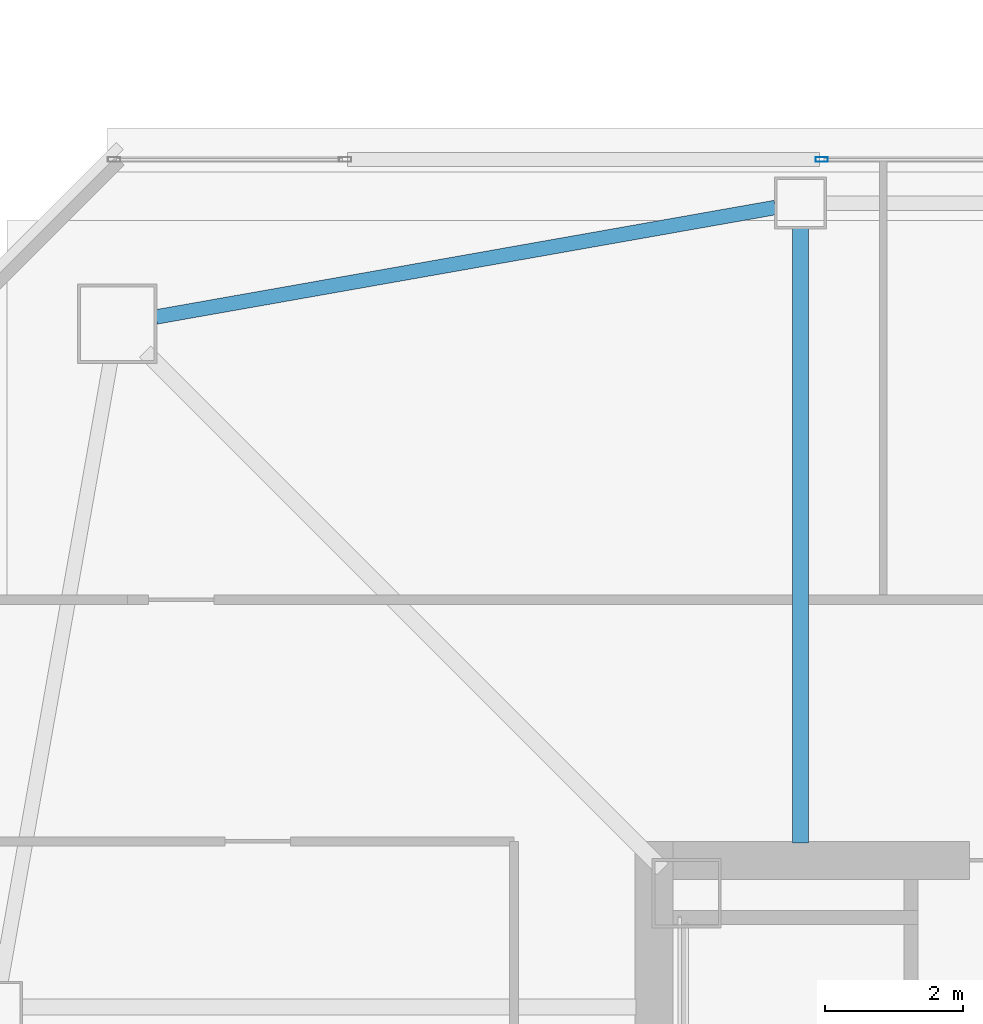
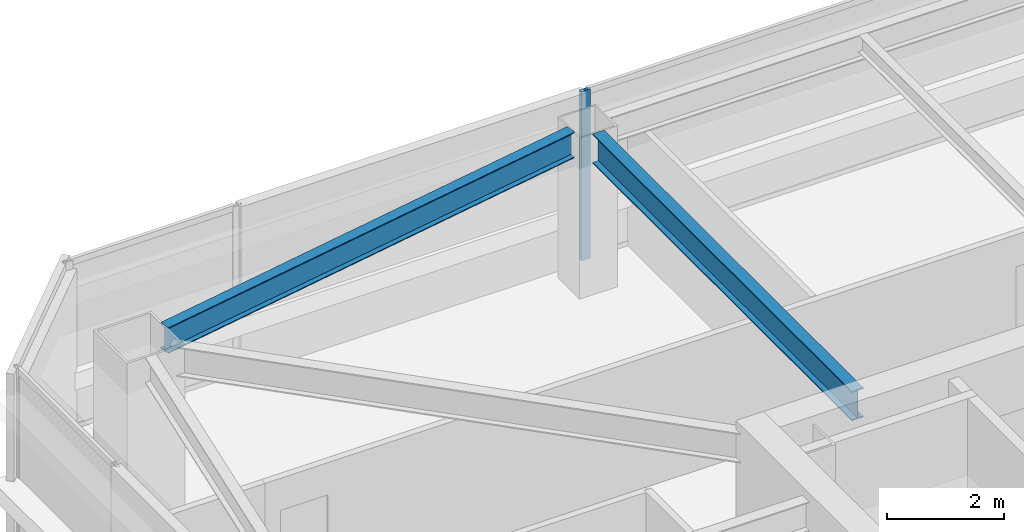
# One storey, part 12 of 41: 2 beams, 1 member, 1 element without a shape of its own.
"""IFC4 building model written with IfcOpenShell, lengths in metres."""

from ifc_helpers import new_model, si_unit, direction, frame, origin, origin_2d, place, context, subcontext, project, spatial, hollow_rectangle, i_section, extrude, material, material_profile, profile_set, type_object, element, aggregate, save


model = new_model("IFC4")

# Units and contexts
model_context = context("Model", 3, precision=1e-05, world=origin(), true_north=direction((0.0, 1.0)))
body_context = subcontext(model_context, "Body", "Model", "MODEL_VIEW")
ifc_project = project(units=[si_unit("LENGTHUNIT", "METRE"), si_unit("AREAUNIT", "SQUARE_METRE"), si_unit("VOLUMEUNIT", "CUBIC_METRE"), si_unit("PLANEANGLEUNIT", "RADIAN"), si_unit("MASSUNIT", "GRAM", prefix="KILO")], contexts=[model_context])

# Site, building, storey
site_placement = place(None, origin())
site = spatial("IfcSite", under=ifc_project, at=site_placement, CompositionType="ELEMENT")
building_placement = place(site_placement, origin())
building = spatial("IfcBuilding", under=site, at=building_placement, Name="Tashvorn Skyway Center", CompositionType="ELEMENT")
storey_placement = place(building_placement, frame((0.0, 0.0, 171.199951171875)))
storey = spatial("IfcBuildingStorey", under=building, at=storey_placement, Name="L46", CompositionType="ELEMENT", Elevation=171.199951171875)

# Beams
ifc_material_1 = material(Name="Steel ASTM A992 Grade 50", Category="steel")
ifc_material_profile_1 = material_profile(ifc_material_1, i_section(OverallWidth=0.22998046875, OverallDepth=0.616943359375, WebThickness=0.01318359375, FlangeThickness=0.022216796875, at=origin_2d()), Name="W24X94")
ifc_profile_set_1 = profile_set([ifc_material_profile_1], Name="Steel ASTM A992 Grade 50")
beam_type_1 = type_object("IfcBeamType", Name="BM-BEAM-W24X94", PredefinedType="BEAM", material=ifc_profile_set_1)
beam_1_placement = place(storey_placement, frame((36.60009765625, 48.679931640625, 3.0615234375), z_axis=(0.0, -1.0, 0.0), x_axis=(1.0, 0.0, 0.0)))
element("IfcBeam", 1, at=beam_1_placement, inside=storey, type_object=beam_type_1, Name="Tower 1 L46 Primary Floor Girder FC-N2", PredefinedType="BEAM", context=body_context, shape_type="SweptSolid", body=[
    extrude(i_section(OverallWidth=0.22998046875, OverallDepth=0.616943359375, WebThickness=0.01318359375, FlangeThickness=0.022216796875, at=origin_2d()), origin(), (0.0, 0.0, 1.0), 8.89990234375),
])
ifc_material_profile_2 = material_profile(ifc_material_1, i_section(OverallWidth=0.2109375, OverallDepth=0.5390625, WebThickness=0.01171875, FlangeThickness=0.018798828125, at=origin_2d()), Name="W21X73")
ifc_profile_set_2 = profile_set([ifc_material_profile_2], Name="Steel ASTM A992 Grade 50")
beam_type_2 = type_object("IfcBeamType", Name="BM-SPANDREL-W21X73", PredefinedType="SPANDREL", material=ifc_profile_set_2)
beam_2_placement = place(storey_placement, frame((36.235595703125, 48.985595703125, 3.1005859375), z_axis=(-0.984732545667, -0.174074160933, 0.0), x_axis=(0.174074160933, -0.984732545667, 0.0)))
element("IfcBeam", 2, at=beam_2_placement, inside=storey, type_object=beam_type_2, Name="Tower 1 L46 Spandrel Beam 09", PredefinedType="SPANDREL", context=body_context, shape_type="SweptSolid", body=[
    extrude(i_section(OverallWidth=0.2109375, OverallDepth=0.5390625, WebThickness=0.01171875, FlangeThickness=0.018798828125, at=origin_2d()), origin(), (0.0, 0.0, 1.0), 9.113525390625),
])

# Curtain wall, member
ifc_material_2 = material(Name="Thermally broken bronze-anodized aluminium 6063-T6", Category="aluminium")
curtain_wall_type = type_object("IfcCurtainWallType", Name="CW-CW-Z4", PredefinedType="NOTDEFINED", material=ifc_material_2)
curtain_wall_placement = place(storey_placement, origin())
curtain_wall = element("IfcCurtainWall", 3, at=curtain_wall_placement, inside=storey, type_object=curtain_wall_type, Name="Tower 1 L46 North Unitised Curtain Wall Glazing Group 2", PredefinedType="NOTDEFINED")
ifc_material_profile_3 = material_profile(ifc_material_2, hollow_rectangle(XDim=0.070068359375, YDim=0.179931640625, WallThickness=0.00390625, at=origin_2d()), Name="ALU-MULL-70x180")
ifc_profile_set_3 = profile_set([ifc_material_profile_3], Name="Thermally broken bronze-anodized aluminium 6063-T6")
member_type = type_object("IfcMemberType", Name="CWM-CW-Z4", PredefinedType="MULLION", material=ifc_profile_set_3)
member_placement = place(storey_placement, frame((36.908203125, 49.679931640625, 0.0), z_axis=(0.0, 0.0, 1.0), x_axis=(0.0, 1.0, 0.0)))
member = element("IfcMember", 4, at=member_placement, type_object=member_type, Name="CW-Z4 mullion 1", PredefinedType="MULLION", context=body_context, shape_type="SweptSolid", body=[
    extrude(hollow_rectangle(XDim=0.070068359375, YDim=0.179931640625, WallThickness=0.00390625, at=origin_2d()), origin(), (0.0, 0.0, 1.0), 3.550048828125),
])
aggregate(curtain_wall, [member])

save(model, "model.ifc")
